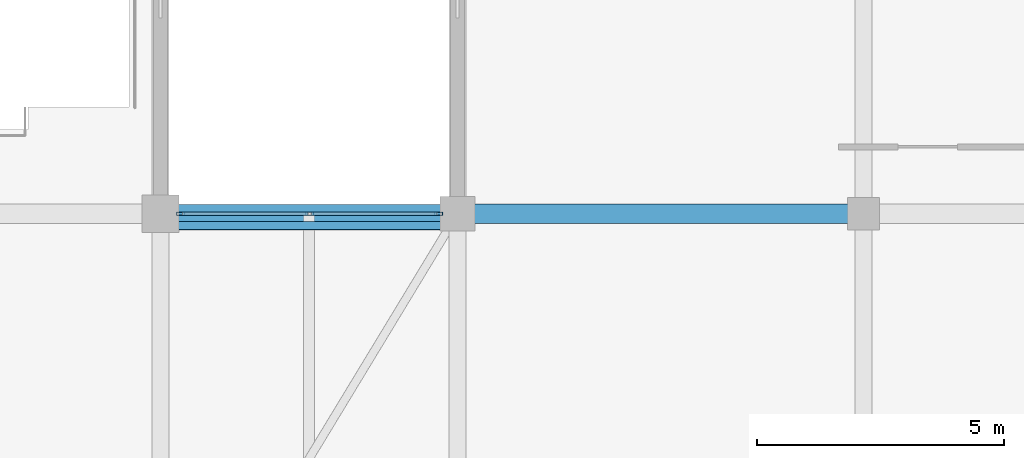
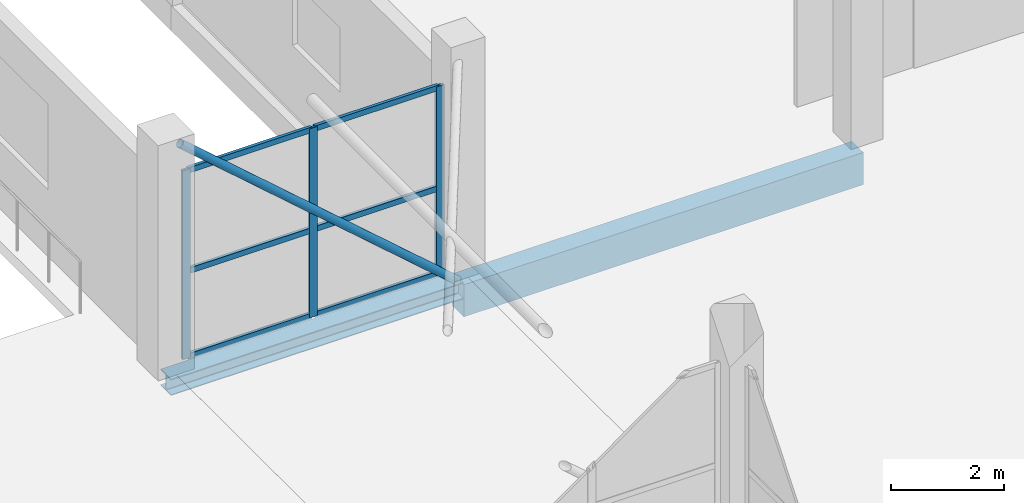
# One storey, part 38 of 67: 10 members, 2 beams, 1 element without a shape of its own.
"""IFC4 building model written with IfcOpenShell, lengths in metres."""

from ifc_helpers import new_model, si_unit, direction, frame, origin, origin_2d, place, context, subcontext, project, spatial, rectangle, hollow_rectangle, hollow_circle, i_section, extrude, material, layer, layer_set, material_profile, profile_set, type_object, element, aggregate, save


model = new_model("IFC4")

# Units and contexts
model_context = context("Model", 3, precision=1e-05, world=origin(), true_north=direction((0.0, 1.0)))
body_context = subcontext(model_context, "Body", "Model", "MODEL_VIEW")
ifc_project = project(units=[si_unit("LENGTHUNIT", "METRE"), si_unit("AREAUNIT", "SQUARE_METRE"), si_unit("VOLUMEUNIT", "CUBIC_METRE"), si_unit("PLANEANGLEUNIT", "RADIAN"), si_unit("MASSUNIT", "GRAM", prefix="KILO")], contexts=[model_context])

# Site, building, storey
site_placement = place(None, origin())
site = spatial("IfcSite", under=ifc_project, at=site_placement, CompositionType="ELEMENT")
building_placement = place(site_placement, origin())
building = spatial("IfcBuilding", under=site, at=building_placement, Name="Sillaruma Civic Art Gallery", CompositionType="ELEMENT")
storey_placement = place(building_placement, frame((0.0, 0.0, 46.919921875)))
storey = spatial("IfcBuildingStorey", under=building, at=storey_placement, Name="L09", CompositionType="ELEMENT", Elevation=46.919921875)

# Beams
ifc_material_1 = material(Name="Concrete H35 (35 MPa)", Category="concrete")
ifc_material_profile_1 = material_profile(ifc_material_1, rectangle(XDim=0.39990234375, YDim=0.699951171875, at=origin_2d()), Name="RCB400x700")
ifc_profile_set_1 = profile_set([ifc_material_profile_1], Name="Concrete H35 (35 MPa)")
beam_type_1 = type_object("IfcBeamType", Name="BM-BEAM-RCB400x700", PredefinedType="BEAM", material=ifc_profile_set_1)
beam_1_placement = place(storey_placement, frame((98.0, 79.199951171875, -0.599853515625), z_axis=(1.0, 0.0, 0.0), x_axis=(0.0, 1.0, 0.0)))
element("IfcBeam", 1, at=beam_1_placement, inside=storey, type_object=beam_type_1, Name="Beam BM-04 (L08:9:L-M)", PredefinedType="BEAM", context=body_context, shape_type="SweptSolid", body=[
    extrude(rectangle(XDim=0.39990234375, YDim=0.699951171875, at=origin_2d()), origin(), (0.0, 0.0, 1.0), 8.199951171875),
])
ifc_material_2 = material(Name="Structural Steel ASTM A992 Gr.50", Category="steel")
ifc_material_profile_2 = material_profile(ifc_material_2, i_section(OverallWidth=0.368896484375, OverallDepth=0.35595703125, WebThickness=0.01123046875, FlangeThickness=0.01806640625, FilletRadius=0.014892578125, at=origin_2d()), Name="W360x134")
ifc_profile_set_2 = profile_set([ifc_material_profile_2], Name="Structural Steel ASTM A992 Gr.50")
beam_type_2 = type_object("IfcBeamType", Name="BM-BRIDGE-W360x134", PredefinedType="SPANDREL", material=ifc_profile_set_2)
beam_2_placement = place(storey_placement, frame((92.0, 79.199951171875, -0.387939453125), z_axis=(1.0, 0.0, 0.0), x_axis=(0.0, 1.0, 0.0)))
element("IfcBeam", 2, at=beam_2_placement, inside=storey, type_object=beam_type_2, Name="Sky-Bridge Steel Edge Girder (BRG-N:L09:N)", PredefinedType="SPANDREL", context=body_context, shape_type="SweptSolid", body=[
    extrude(i_section(OverallWidth=0.368896484375, OverallDepth=0.35595703125, WebThickness=0.01123046875, FlangeThickness=0.01806640625, FilletRadius=0.014892578125, at=origin_2d()), origin(), (0.0, 0.0, 1.0), 6.0),
])

# Member
ifc_material_3 = material(Name="Structural Steel ASTM A500 Gr.C", Category="steel")
ifc_material_profile_3 = material_profile(ifc_material_3, hollow_circle(Radius=0.084228515625, WallThickness=0.007080078125, at=origin_2d()), Name="CHS168.3x7.1")
ifc_profile_set_3 = profile_set([ifc_material_profile_3], Name="Structural Steel ASTM A500 Gr.C")
member_type_1 = type_object("IfcMemberType", Name="MEM-BRIDGE-BRACE", PredefinedType="BRACE", material=ifc_profile_set_3)
member_1_placement = place(storey_placement, frame((97.85009765625, 78.9599609375, -0.079833984375), z_axis=(-0.753735417324, 0.0, 0.657177997707), x_axis=(0.0, -1.0, 0.0)))
element("IfcMember", 3, at=member_1_placement, inside=storey, type_object=member_type_1, Name="Sky-Bridge Elevation Truss Web Brace (BRG-N:L09:N)", PredefinedType="BRACE", context=body_context, shape_type="SweptSolid", body=[
    extrude(hollow_circle(Radius=0.084228515625, WallThickness=0.007080078125, at=origin_2d()), origin(), (0.0, 0.0, 1.0), 7.5625),
])

# Curtain wall, members
ifc_material_4 = material(Name="Thermally Broken Extruded Aluminium 6063-T6", Category="aluminium")
ifc_layer = layer(ifc_material_4, 0.159912109375, Name="Thermally Broken Extruded Aluminium 6063-T6")
ifc_layer_set = layer_set([ifc_layer], Name="Thermally Broken Extruded Aluminium 6063-T6")
curtain_wall_type = type_object("IfcCurtainWallType", Name="CW-UNI-75", PredefinedType="NOTDEFINED", material=ifc_layer_set)
curtain_wall_placement = place(storey_placement, origin())
curtain_wall = element("IfcCurtainWall", 4, at=curtain_wall_placement, inside=storey, type_object=curtain_wall_type, Name="Unitised Curtain Wall CW-75 (CW-BRG-N-L09-N)", PredefinedType="NOTDEFINED")
ifc_material_profile_4 = material_profile(ifc_material_4, hollow_rectangle(XDim=0.06494140625, YDim=0.159912109375, WallThickness=0.00390625, at=origin_2d()), Name="CWM65x160")
ifc_profile_set_4 = profile_set([ifc_material_profile_4], Name="Thermally Broken Extruded Aluminium 6063-T6")
member_type_2 = type_object("IfcMemberType", Name="MEM-MUL-CWM65x160", PredefinedType="MULLION", material=ifc_profile_set_4)
member_2_placement = place(storey_placement, frame((92.407470703125, 79.199951171875, 0.0), z_axis=(0.0, 0.0, 1.0), x_axis=(0.0, 1.0, 0.0)))
member_2 = element("IfcMember", 5, at=member_2_placement, type_object=member_type_2, Name="CW-75 mullion 1", PredefinedType="MULLION", context=body_context, shape_type="SweptSolid", body=[
    extrude(hollow_rectangle(XDim=0.06494140625, YDim=0.159912109375, WallThickness=0.00390625, at=origin_2d()), origin(), (0.0, 0.0, 1.0), 4.10009765625),
])
member_3_placement = place(storey_placement, frame((95.012451171875, 79.199951171875, 0.0), z_axis=(0.0, 0.0, 1.0), x_axis=(0.0, 1.0, 0.0)))
member_3 = element("IfcMember", 6, at=member_3_placement, type_object=member_type_2, Name="CW-75 mullion 2", PredefinedType="MULLION", context=body_context, shape_type="SweptSolid", body=[
    extrude(hollow_rectangle(XDim=0.06494140625, YDim=0.159912109375, WallThickness=0.00390625, at=origin_2d()), origin(), (0.0, 0.0, 1.0), 4.10009765625),
])
member_4_placement = place(storey_placement, frame((97.617431640625, 79.199951171875, 0.0), z_axis=(0.0, 0.0, 1.0), x_axis=(0.0, 1.0, 0.0)))
member_4 = element("IfcMember", 7, at=member_4_placement, type_object=member_type_2, Name="CW-75 mullion 3", PredefinedType="MULLION", context=body_context, shape_type="SweptSolid", body=[
    extrude(hollow_rectangle(XDim=0.06494140625, YDim=0.159912109375, WallThickness=0.00390625, at=origin_2d()), origin(), (0.0, 0.0, 1.0), 4.10009765625),
])
ifc_material_profile_5 = material_profile(ifc_material_4, hollow_rectangle(XDim=0.06494140625, YDim=0.1201171875, WallThickness=0.00341796875, at=origin_2d()), Name="CWT65x120")
ifc_profile_set_5 = profile_set([ifc_material_profile_5], Name="Thermally Broken Extruded Aluminium 6063-T6")
member_type_3 = type_object("IfcMemberType", Name="MEM-TRN-CWT65x120", PredefinedType="USERDEFINED", material=ifc_profile_set_5)
member_5_placement = place(storey_placement, frame((92.43994140625, 79.199951171875, 0.032470703125), z_axis=(1.0, 0.0, 0.0), x_axis=(0.0, 1.0, 0.0)))
member_5 = element("IfcMember", 8, at=member_5_placement, type_object=member_type_3, Name="CW-75 transom 1.1", ObjectType="TRANSOM", PredefinedType="USERDEFINED", context=body_context, shape_type="SweptSolid", body=[
    extrude(hollow_rectangle(XDim=0.06494140625, YDim=0.1201171875, WallThickness=0.00341796875, at=origin_2d()), origin(), (0.0, 0.0, 1.0), 2.5400390625),
])
member_6_placement = place(storey_placement, frame((92.43994140625, 79.199951171875, 1.885986328125), z_axis=(1.0, 0.0, 0.0), x_axis=(0.0, 1.0, 0.0)))
member_6 = element("IfcMember", 9, at=member_6_placement, type_object=member_type_3, Name="CW-75 transom 1.2", ObjectType="TRANSOM", PredefinedType="USERDEFINED", context=body_context, shape_type="SweptSolid", body=[
    extrude(hollow_rectangle(XDim=0.06494140625, YDim=0.1201171875, WallThickness=0.00341796875, at=origin_2d()), origin(), (0.0, 0.0, 1.0), 2.5400390625),
])
member_7_placement = place(storey_placement, frame((92.43994140625, 79.199951171875, 4.067626953125), z_axis=(1.0, 0.0, 0.0), x_axis=(0.0, 1.0, 0.0)))
member_7 = element("IfcMember", 10, at=member_7_placement, type_object=member_type_3, Name="CW-75 transom 1.3", ObjectType="TRANSOM", PredefinedType="USERDEFINED", context=body_context, shape_type="SweptSolid", body=[
    extrude(hollow_rectangle(XDim=0.06494140625, YDim=0.1201171875, WallThickness=0.00341796875, at=origin_2d()), origin(), (0.0, 0.0, 1.0), 2.5400390625),
])
member_8_placement = place(storey_placement, frame((95.044921875, 79.199951171875, 0.032470703125), z_axis=(1.0, 0.0, 0.0), x_axis=(0.0, 1.0, 0.0)))
member_8 = element("IfcMember", 11, at=member_8_placement, type_object=member_type_3, Name="CW-75 transom 2.1", ObjectType="TRANSOM", PredefinedType="USERDEFINED", context=body_context, shape_type="SweptSolid", body=[
    extrude(hollow_rectangle(XDim=0.06494140625, YDim=0.1201171875, WallThickness=0.00341796875, at=origin_2d()), origin(), (0.0, 0.0, 1.0), 2.5400390625),
])
member_9_placement = place(storey_placement, frame((95.044921875, 79.199951171875, 1.885986328125), z_axis=(1.0, 0.0, 0.0), x_axis=(0.0, 1.0, 0.0)))
member_9 = element("IfcMember", 12, at=member_9_placement, type_object=member_type_3, Name="CW-75 transom 2.2", ObjectType="TRANSOM", PredefinedType="USERDEFINED", context=body_context, shape_type="SweptSolid", body=[
    extrude(hollow_rectangle(XDim=0.06494140625, YDim=0.1201171875, WallThickness=0.00341796875, at=origin_2d()), origin(), (0.0, 0.0, 1.0), 2.5400390625),
])
member_10_placement = place(storey_placement, frame((95.044921875, 79.199951171875, 4.067626953125), z_axis=(1.0, 0.0, 0.0), x_axis=(0.0, 1.0, 0.0)))
member_10 = element("IfcMember", 13, at=member_10_placement, type_object=member_type_3, Name="CW-75 transom 2.3", ObjectType="TRANSOM", PredefinedType="USERDEFINED", context=body_context, shape_type="SweptSolid", body=[
    extrude(hollow_rectangle(XDim=0.06494140625, YDim=0.1201171875, WallThickness=0.00341796875, at=origin_2d()), origin(), (0.0, 0.0, 1.0), 2.5400390625),
])
aggregate(curtain_wall, [member_2, member_3, member_4, member_5, member_6, member_7, member_8, member_9, member_10])

save(model, "model.ifc")
